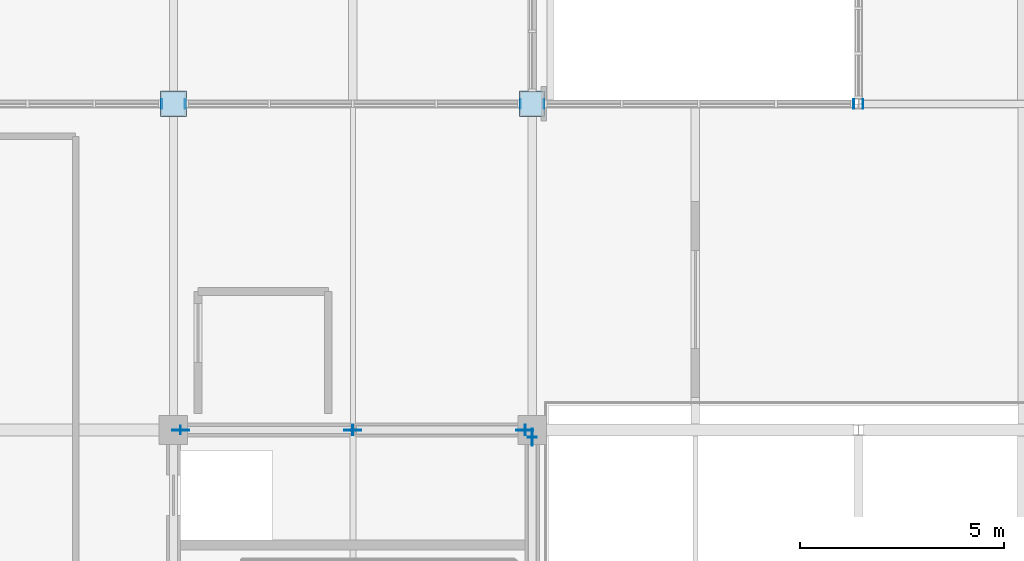
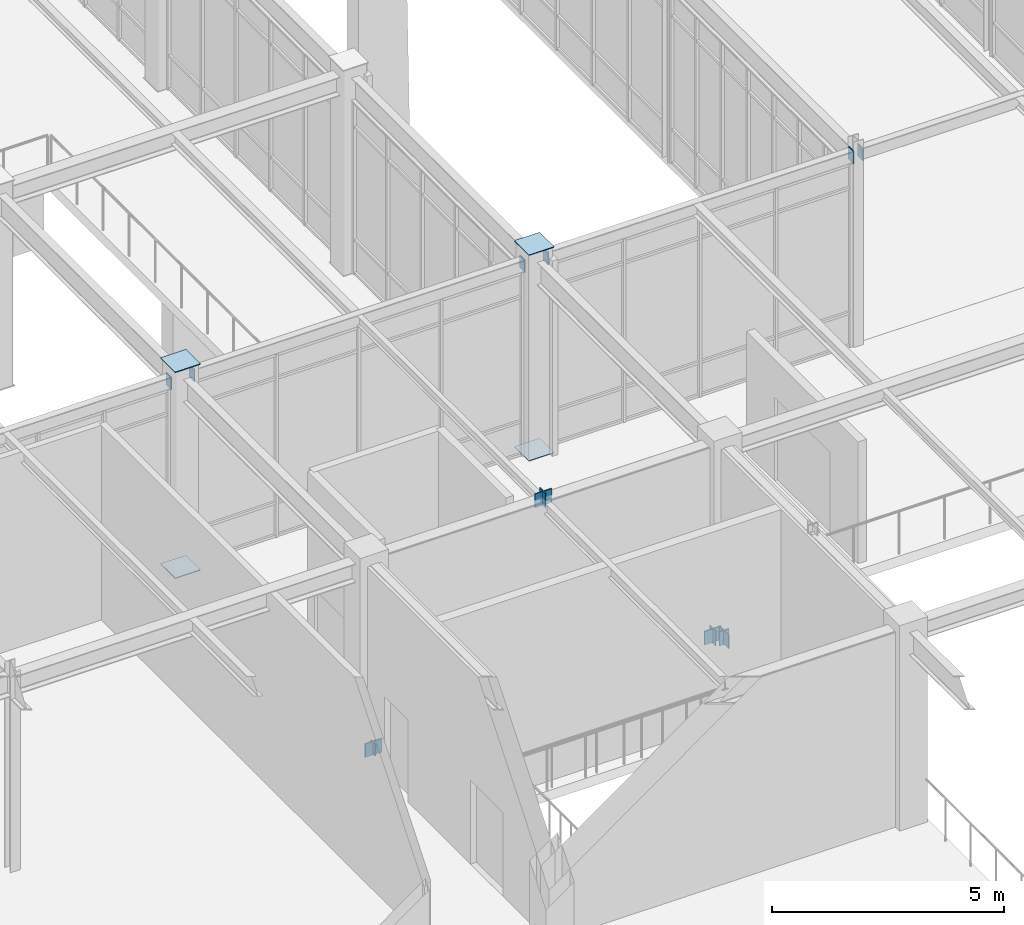
# One storey, part 109 of 184: 19 plates.
"""IFC4 building model written with IfcOpenShell, lengths in metres."""

import ifcopenshell
import ifcopenshell.guid

model = None  # the IFC model being written
_history = None  # IfcOwnerHistory: only IFC2X3 demands one
_inside = {}  # id of a spatial element -> (the spatial element, [elements in it])
_under = {}  # id of a project, library or spatial element -> (it, [spatial elements below it])
_declared = {}  # id of a project -> (the project, [libraries it declares])
_typed = {}  # id of a type object -> (the type object, [elements of that type])
_made_of = {}  # id of a material, layer set ... -> (it, [elements and type objects made of it])


def new_model(schema):
    """Start an empty IFC model of exactly this schema.

    Asked for "IFC4X3", IfcOpenShell would pick the latest addendum, in which some entities
    have other attributes; the version numbers below select the first issue.
    IFC2X3 requires an IfcOwnerHistory on every rooted entity: one is made here for all.
    """
    global model, _history
    if schema == "IFC4X3":
        model = ifcopenshell.file(schema_version=(4, 3, 0, 0))
    else:
        model = ifcopenshell.file(schema=schema)
    _inside.clear()
    _under.clear()
    _declared.clear()
    _typed.clear()
    _made_of.clear()
    _history = None
    if model.schema == "IFC2X3":
        org = make("IfcOrganization", Name="unknown")
        user = make(
            "IfcPersonAndOrganization",
            ThePerson=make("IfcPerson", FamilyName="unknown"),
            TheOrganization=org,
        )
        app = make(
            "IfcApplication",
            ApplicationDeveloper=org,
            Version="unknown",
            ApplicationFullName="unknown",
            ApplicationIdentifier="unknown",
        )
        _history = make(
            "IfcOwnerHistory",
            OwningUser=user,
            OwningApplication=app,
            ChangeAction="ADDED",
            CreationDate=0,
        )
    return model


def make(cls, **values):
    """One entity of the class cls with the attributes given. An attribute that is None is left unset."""
    return model.create_entity(
        cls, **{name: value for name, value in values.items() if value is not None}
    )


def rooted(cls, **values):
    """An entity with a GlobalId (a new one), such as an element, a storey or a relation."""
    return make(cls, GlobalId=ifcopenshell.guid.new(), OwnerHistory=_history, **values)


def si_unit(unit_type, name, prefix=None):
    """IfcSIUnit, for example si_unit("LENGTHUNIT", "METRE", prefix="MILLI")."""
    return make("IfcSIUnit", UnitType=unit_type, Prefix=prefix, Name=name)


def assignment(units):
    """IfcUnitAssignment: the units of a project."""
    return None if units is None else make("IfcUnitAssignment", Units=units)


def point(xyz):
    """IfcCartesianPoint."""
    return None if xyz is None else make("IfcCartesianPoint", Coordinates=xyz)


def direction(xyz):
    """IfcDirection."""
    return None if xyz is None else make("IfcDirection", DirectionRatios=xyz)


def frame(location, z_axis=None, x_axis=None):
    """IfcAxis2Placement3D, a coordinate frame: its origin and axes. An axis left out is left unset."""
    return make(
        "IfcAxis2Placement3D",
        Location=point(location),
        Axis=direction(z_axis),
        RefDirection=direction(x_axis),
    )


def frame_2d(location, x_axis=None):
    """IfcAxis2Placement2D, a coordinate frame in the plane: its origin and x axis."""
    return make(
        "IfcAxis2Placement2D", Location=point(location), RefDirection=direction(x_axis)
    )


def origin():
    """The frame at (0, 0, 0) with its axes left unset."""
    return frame((0.0, 0.0, 0.0))


def origin_2d():
    """The frame at (0, 0) in the plane with its x axis left unset."""
    return frame_2d((0.0, 0.0))


def place(relative_to, where):
    """IfcLocalPlacement: puts the frame where relative to a parent placement (None: the world)."""
    return make(
        "IfcLocalPlacement", PlacementRelTo=relative_to, RelativePlacement=where
    )


def context(
    kind, dimensions, precision=None, world=None, true_north=None, identifier=None
):
    """IfcGeometricRepresentationContext, for example the 3D "Model" context."""
    return make(
        "IfcGeometricRepresentationContext",
        ContextIdentifier=identifier,
        ContextType=kind,
        CoordinateSpaceDimension=dimensions,
        Precision=precision,
        WorldCoordinateSystem=world,
        TrueNorth=true_north,
    )


def subcontext(parent, identifier, kind, view, scale=None):
    """IfcGeometricRepresentationSubContext, for example "Body" below "Model"."""
    return make(
        "IfcGeometricRepresentationSubContext",
        ContextIdentifier=identifier,
        ContextType=kind,
        ParentContext=parent,
        TargetScale=scale,
        TargetView=view,
    )


def project(units=None, contexts=None):
    """IfcProject with its units and contexts."""
    return rooted(
        "IfcProject",
        Name="project",
        RepresentationContexts=contexts,
        UnitsInContext=assignment(units),
    )


def spatial(cls, under=None, at=None, **own):
    """A site, building, storey or space (cls), placed at a placement, below another one or the project."""
    s = rooted(cls, ObjectPlacement=at, **own)
    if under is not None:
        _under.setdefault(under.id(), (under, []))[1].append(s)
    return s


def profile(cls, at=None, kind="AREA", **sizes):
    """A parametric profile (cls). Its sizes go by their IFC names, for example OverallWidth=200.0."""
    return make(cls, ProfileType=kind, Position=at, **sizes)


def rectangle(**sizes):
    """IfcRectangleProfileDef."""
    return profile("IfcRectangleProfileDef", **sizes)


def extrude(swept, where, along, depth):
    """IfcExtrudedAreaSolid: the profile swept, set in the frame where, extruded along a direction by depth."""
    return make(
        "IfcExtrudedAreaSolid",
        SweptArea=swept,
        Position=where,
        ExtrudedDirection=direction(along),
        Depth=depth,
    )


def shape(context_of_items, identifier, shape_type, items):
    """IfcShapeRepresentation: the items that make up one representation, for example the "Body"."""
    return make(
        "IfcShapeRepresentation",
        ContextOfItems=context_of_items,
        RepresentationIdentifier=identifier,
        RepresentationType=shape_type,
        Items=items,
    )


def material(Name=None, Category=None):
    """IfcMaterial."""
    return make("IfcMaterial", Name=Name, Category=Category)


def layer(
    of_material, thickness, ventilated=None, Name=None, Category=None, Priority=None
):
    """IfcMaterialLayer: one layer of a wall or slab, of a material (None: an air gap)."""
    return make(
        "IfcMaterialLayer",
        Material=of_material,
        LayerThickness=thickness,
        IsVentilated=ventilated,
        Name=Name,
        Category=Category,
        Priority=Priority,
    )


def layer_set(layers, Name=None):
    """IfcMaterialLayerSet."""
    return make("IfcMaterialLayerSet", MaterialLayers=layers, LayerSetName=Name)


def made_of(thing, what):
    """Note that an element or type object is made of a material, layer set ...; save() writes the relation."""
    if what is not None:
        _made_of.setdefault(what.id(), (what, []))[1].append(thing)
    return thing


def type_object(cls, material=None, **own):
    """A type object (cls), such as IfcWallType, which elements share."""
    return made_of(rooted(cls, **own), material)


def element(
    cls,
    number,
    at=None,
    inside=None,
    cuts=None,
    type_object=None,
    material=None,
    context=None,
    identifier="Body",
    shape_type=None,
    held_by="IfcProductDefinitionShape",
    body=None,
    shapes=None,
    **own,
):
    """One element of the class cls, such as IfcWall. Its Tag is "e" and its number.

    at: its placement. inside: the storey or other place that contains it. cuts: it is an
    opening in that element (IfcRelVoidsElement). A single representation is given by context,
    identifier, shape_type and body (its items); several are given by shapes. held_by: the class
    of the entity that holds the representations. save() writes the other relations.
    """
    e = rooted(cls, Tag="e%d" % number, ObjectPlacement=at, **own)
    if body is not None:
        shapes = [shape(context, identifier, shape_type, body)]
    if shapes is not None:
        e.Representation = make(held_by, Representations=shapes)
    if inside is not None:
        _inside.setdefault(inside.id(), (inside, []))[1].append(e)
    if cuts is not None:
        rooted(
            "IfcRelVoidsElement", RelatingBuildingElement=cuts, RelatedOpeningElement=e
        )
    if type_object is not None:
        _typed.setdefault(type_object.id(), (type_object, []))[1].append(e)
    return made_of(e, material)


def aggregate(whole, parts):
    """IfcRelAggregates: a whole, such as a stair, and the parts it consists of."""
    return rooted("IfcRelAggregates", RelatingObject=whole, RelatedObjects=parts)


def save(model, path):
    """Write the relations noted so far, then the file.

    IfcRelAggregates (storeys below a building ...), IfcRelContainedInSpatialStructure (elements
    in a storey), IfcRelDefinesByType, IfcRelAssociatesMaterial and IfcRelDeclares: one each for
    every whole, place, type object, material and project.
    """
    for whole, parts in _under.values():
        aggregate(whole, parts)
    for where, things in _inside.values():
        rooted(
            "IfcRelContainedInSpatialStructure",
            RelatedElements=things,
            RelatingStructure=where,
        )
    for kind, things in _typed.values():
        rooted("IfcRelDefinesByType", RelatedObjects=things, RelatingType=kind)
    for what, things in _made_of.values():
        rooted("IfcRelAssociatesMaterial", RelatedObjects=things, RelatingMaterial=what)
    for by, libraries in _declared.values():
        rooted("IfcRelDeclares", RelatingContext=by, RelatedDefinitions=libraries)
    model.write(path)


model = new_model("IFC4")

# Units and contexts
model_context = context("Model", 3, precision=1e-05, world=origin(), true_north=direction((0.0, 1.0)))
body_context = subcontext(model_context, "Body", "Model", "MODEL_VIEW")
ifc_project = project(units=[si_unit("LENGTHUNIT", "METRE"), si_unit("AREAUNIT", "SQUARE_METRE"), si_unit("VOLUMEUNIT", "CUBIC_METRE"), si_unit("PLANEANGLEUNIT", "RADIAN"), si_unit("MASSUNIT", "GRAM", prefix="KILO")], contexts=[model_context])

# Site, building, storey
site_placement = place(None, origin())
site = spatial("IfcSite", under=ifc_project, at=site_placement, CompositionType="ELEMENT")
building_placement = place(site_placement, origin())
building = spatial("IfcBuilding", under=site, at=building_placement, Name="Zhaolan Boulevard Law Courts", CompositionType="ELEMENT")
storey_placement = place(building_placement, frame((0.0, 0.0, 5.39990234375)))
storey = spatial("IfcBuildingStorey", under=building, at=storey_placement, Name="L01", CompositionType="ELEMENT", Elevation=5.39990234375)

# Plates
ifc_material_1 = material(Name="Structural steel Q355B", Category="steel")
ifc_layer_1 = layer(ifc_material_1, 0.02392578125)
ifc_layer_set_1 = layer_set([ifc_layer_1])
plate_type_1 = type_object("IfcPlateType", Name="BRACE GUSSET PLATE 24", PredefinedType="SHEET", material=ifc_layer_set_1)
for number, where, z_axis, x_axis, name in (
    (1, (35.3798828125, 22.0, -0.14990234375), (0.0, 0.0, 1.0), (1.0, 0.0, 0.0), "Brace Gusset Connection Plate GP-P1-L01-NA1"),
    (2, (43.820068359375, 22.0, -0.14990234375), (0.0, 0.0, 1.0), (1.0, 0.0, 0.0), "Brace Gusset Connection Plate GP-P1-L01-NA2"),
    (3, (39.60009765625, 22.0, 4.93994140625), (0.0, 0.0, 1.0), (1.0, 0.0, 0.0), "Brace Gusset Connection Plate GP-P1-L01-NAPX"),
    (4, (44.0, 21.820068359375, -0.14990234375), (0.0, 0.0, 1.0), (0.0, 1.0, 0.0), "Brace Gusset Connection Plate GP-P1-L01-EA2"),
):
    element("IfcPlate", number, at=place(storey_placement, frame(where, z_axis=z_axis, x_axis=x_axis)), inside=storey, type_object=plate_type_1, Name=name, PredefinedType="SHEET", context=body_context, shape_type="SweptSolid", body=[
        extrude(rectangle(XDim=0.419921875, YDim=0.02392578125, at=origin_2d()), origin(), (0.0, 0.0, 1.0), 0.360107421875),
    ])
ifc_material_2 = material(Name="Structural steel Q355B", Category="steel")
ifc_layer_2 = layer(ifc_material_2, 0.02001953125)
ifc_layer_set_2 = layer_set([ifc_layer_2])
plate_type_2 = type_object("IfcPlateType", Name="END CAP PLATE 20", PredefinedType="SHEET", material=ifc_layer_set_2)
for number, where, z_axis, x_axis, name in (
    (5, (35.199951171875, 30.0, -0.017822265625), (0.0, 0.0, 1.0), (1.0, 0.0, 0.0), "Hollow Section End-Cap Plate ECP-0361"),
    (6, (35.199951171875, 30.0, 5.398193359375), (0.0, 0.0, 1.0), (1.0, 0.0, 0.0), "Hollow Section End-Cap Plate ECP-0362"),
    (7, (44.0, 30.0, -0.017822265625), (0.0, 0.0, 1.0), (1.0, 0.0, 0.0), "Hollow Section End-Cap Plate ECP-0491"),
    (8, (44.0, 30.0, 5.398193359375), (0.0, 0.0, 1.0), (1.0, 0.0, 0.0), "Hollow Section End-Cap Plate ECP-0492"),
):
    element("IfcPlate", number, at=place(storey_placement, frame(where, z_axis=z_axis, x_axis=x_axis)), inside=storey, type_object=plate_type_2, Name=name, PredefinedType="SHEET", context=body_context, shape_type="SweptSolid", body=[
        extrude(rectangle(XDim=0.6298828125, YDim=0.6298828125, at=origin_2d()), origin(), (0.0, 0.0, 1.0), 0.02001953125),
    ])
for number, where, z_axis, x_axis, name in (
    (9, (34.912109375, 30.0, 4.822998046875), (0.0, 0.0, 1.0), (1.0, 0.0, 0.0), "Hollow Section End-Cap Plate ECP-0730"),
    (10, (35.488037109375, 30.0, 4.822998046875), (0.0, 0.0, 1.0), (1.0, 0.0, 0.0), "Hollow Section End-Cap Plate ECP-0731"),
    (11, (43.7119140625, 30.0, 4.822998046875), (0.0, 0.0, 1.0), (1.0, 0.0, 0.0), "Hollow Section End-Cap Plate ECP-0732"),
    (12, (44.2880859375, 30.0, 4.822998046875), (0.0, 0.0, 1.0), (1.0, 0.0, 0.0), "Hollow Section End-Cap Plate ECP-0733"),
    (13, (51.886962890625, 30.0, 4.822998046875), (0.0, 0.0, 1.0), (1.0, 0.0, 0.0), "Hollow Section End-Cap Plate ECP-0734"),
    (14, (52.113037109375, 30.0, 4.822998046875), (0.0, 0.0, 1.0), (1.0, 0.0, 0.0), "Hollow Section End-Cap Plate ECP-0735"),
):
    element("IfcPlate", number, at=place(storey_placement, frame(where, z_axis=z_axis, x_axis=x_axis)), inside=storey, type_object=plate_type_2, Name=name, PredefinedType="SHEET", context=body_context, shape_type="SweptSolid", body=[
        extrude(rectangle(XDim=0.02001953125, YDim=0.22998046875, at=origin_2d()), origin(), (0.0, 0.0, 1.0), 0.330078125),
    ])
for number, where, z_axis, x_axis, name in (
    (15, (35.375, 22.0, -0.131103515625), (0.0, 0.0, 1.0), (1.0, 0.0, 0.0), "Hollow Section End-Cap Plate ECP-1239"),
    (16, (39.60498046875, 22.0, 4.97119140625), (0.0, 0.0, 1.0), (1.0, 0.0, 0.0), "Hollow Section End-Cap Plate ECP-1240"),
):
    element("IfcPlate", number, at=place(storey_placement, frame(where, z_axis=z_axis, x_axis=x_axis)), inside=storey, type_object=plate_type_2, Name=name, PredefinedType="SHEET", context=body_context, shape_type="SweptSolid", body=[
        extrude(rectangle(XDim=0.02001953125, YDim=0.197998046875, at=origin_2d()), origin(), (0.0, 0.0, 1.0), 0.31005859375),
    ])
for number, where, z_axis, x_axis, name in (
    (17, (43.8251953125, 22.0, -0.172119140625), (0.0, 0.0, 1.0), (-1.0, 0.0, 0.0), "Hollow Section End-Cap Plate ECP-1241"),
    (18, (39.594970703125, 22.0, 4.93017578125), (0.0, 0.0, 1.0), (-1.0, 0.0, 0.0), "Hollow Section End-Cap Plate ECP-1242"),
):
    element("IfcPlate", number, at=place(storey_placement, frame(where, z_axis=z_axis, x_axis=x_axis)), inside=storey, type_object=plate_type_2, Name=name, PredefinedType="SHEET", context=body_context, shape_type="SweptSolid", body=[
        extrude(rectangle(XDim=0.02001953125, YDim=0.25, at=origin_2d()), origin(), (0.0, 0.0, 1.0), 0.39208984375),
    ])
plate_placement = place(storey_placement, frame((44.0, 21.82470703125, -0.16796875), z_axis=(0.0, 0.0, 1.0), x_axis=(0.0, -1.0, 0.0)))
element("IfcPlate", 19, at=plate_placement, inside=storey, type_object=plate_type_2, Name="Hollow Section End-Cap Plate ECP-1245", PredefinedType="SHEET", context=body_context, shape_type="SweptSolid", body=[
    extrude(rectangle(XDim=0.02001953125, YDim=0.22998046875, at=origin_2d()), origin(), (0.0, 0.0, 1.0), 0.383056640625),
])

save(model, "model.ifc")
